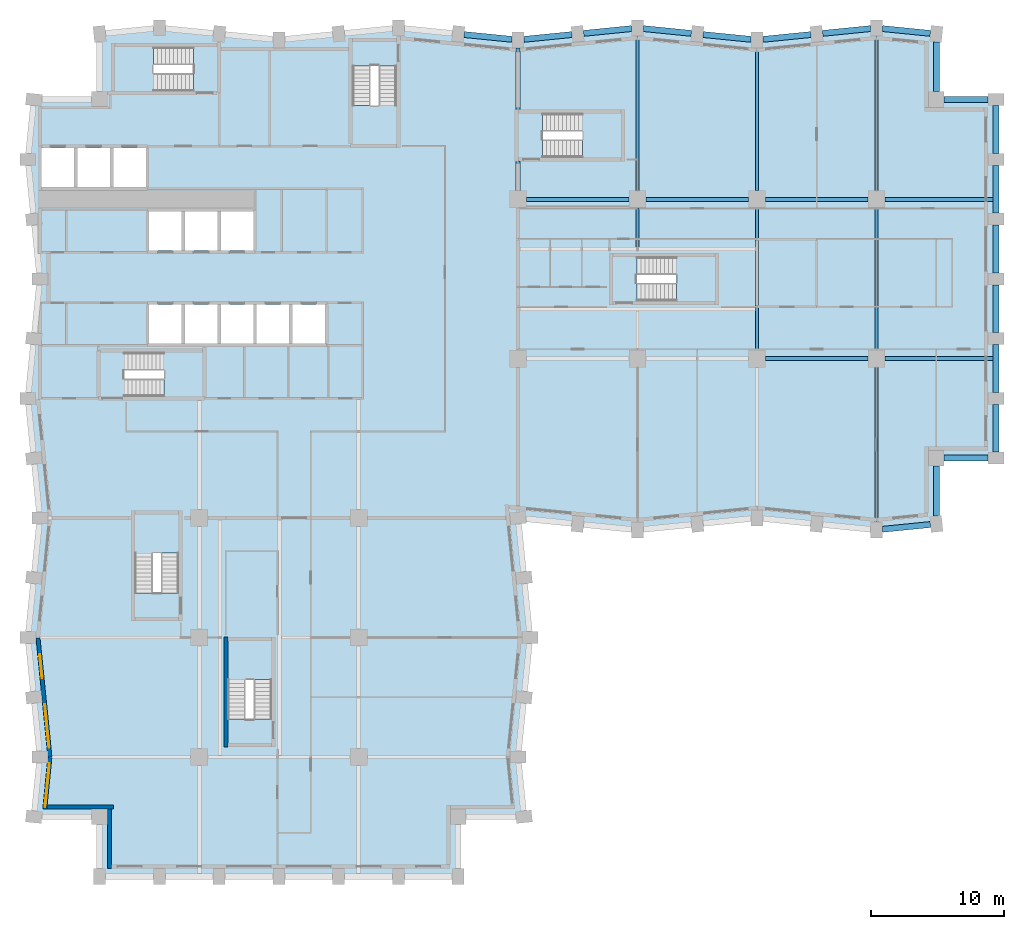
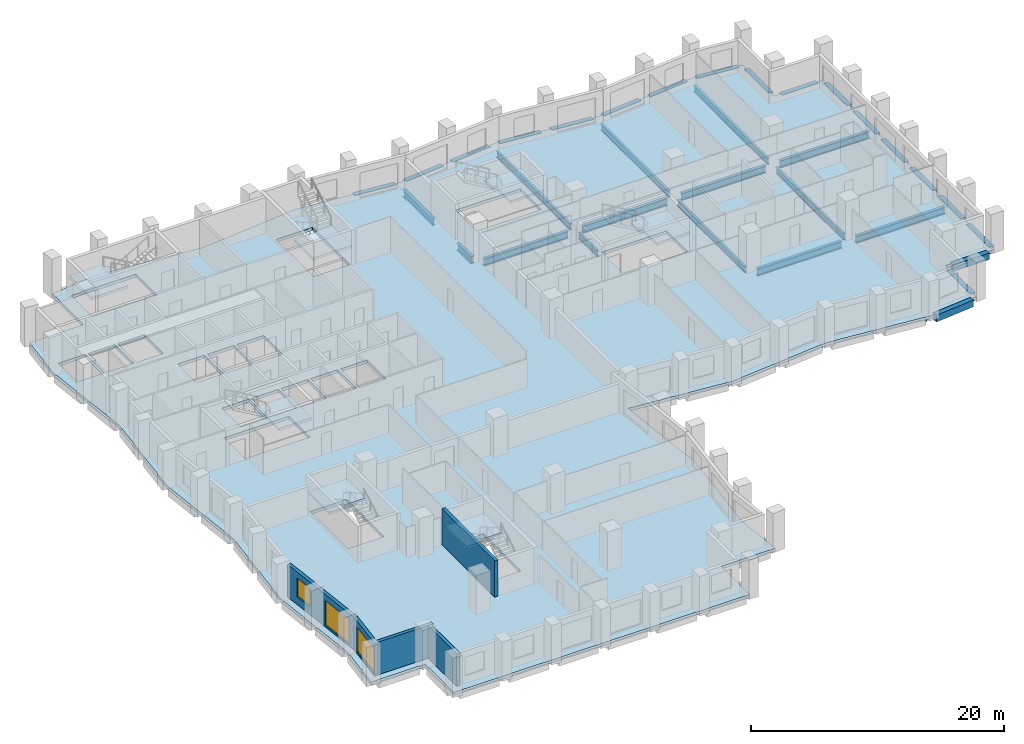
# One storey, part 2 of 11: 34 beams, 8 slabs, 5 walls, 3 windows, 3 openings, 7 elements without a shape of their own.
"""IFC4 building model written with IfcOpenShell, lengths in metres."""

from ifc_helpers import new_model, si_unit, direction, frame, frame_2d, origin, origin_2d, place, context, subcontext, project, spatial, polyline, rectangle, i_section, outline, extrude, material, layer, layer_set, material_profile, profile_set, type_object, element, fill, aggregate, save


model = new_model("IFC4")

# Units and contexts
model_context = context("Model", 3, precision=1e-05, world=origin(), true_north=direction((0.0, 1.0)))
body_context = subcontext(model_context, "Body", "Model", "MODEL_VIEW")
ifc_project = project(units=[si_unit("LENGTHUNIT", "METRE"), si_unit("AREAUNIT", "SQUARE_METRE"), si_unit("VOLUMEUNIT", "CUBIC_METRE"), si_unit("PLANEANGLEUNIT", "RADIAN"), si_unit("MASSUNIT", "GRAM", prefix="KILO")], contexts=[model_context])

# Site, building, storey
site_placement = place(None, origin())
site = spatial("IfcSite", under=ifc_project, at=site_placement, CompositionType="ELEMENT")
building_placement = place(site_placement, origin())
building = spatial("IfcBuilding", under=site, at=building_placement, Name="Brondeck Convention Tower", CompositionType="ELEMENT")
storey_placement = place(building_placement, frame((0.0, 0.0, 92.300048828125)))
storey = spatial("IfcBuildingStorey", under=building, at=storey_placement, Name="L21", CompositionType="ELEMENT", Elevation=92.300048828125)

# Beams
ifc_material_1 = material(Name="Steel S355", Category="steel")
ifc_material_profile_1 = material_profile(ifc_material_1, i_section(OverallWidth=0.219970703125, OverallDepth=0.60009765625, WebThickness=0.011962890625, FlangeThickness=0.01904296875, FilletRadius=0.02392578125, at=origin_2d()), Name="IPE 600")
ifc_profile_set_1 = profile_set([ifc_material_profile_1], Name="Steel S355")
beam_type_1 = type_object("IfcBeamType", Name="Floor beam IPE 600", PredefinedType="BEAM", material=ifc_profile_set_1)
beam_1_placement = place(storey_placement, frame((45.0, 51.64990234375, -0.60009765625), z_axis=(0.0, 1.0, 0.0), x_axis=(-1.0, 0.0, 0.0)))
element("IfcBeam", 1, at=beam_1_placement, inside=storey, type_object=beam_type_1, Name="STR-FB-L21-002", PredefinedType="BEAM", context=body_context, shape_type="SweptSolid", body=[
    extrude(i_section(OverallWidth=0.219970703125, OverallDepth=0.60009765625, WebThickness=0.011962890625, FlangeThickness=0.01904296875, FilletRadius=0.02392578125, at=origin_2d()), origin(), (0.0, 0.0, 1.0), 11.650146484375),
])
beam_2_placement = place(storey_placement, frame((54.0, 39.64990234375, -0.60009765625), z_axis=(0.0, 1.0, 0.0), x_axis=(-1.0, 0.0, 0.0)))
element("IfcBeam", 2, at=beam_2_placement, inside=storey, type_object=beam_type_1, Name="STR-FB-L21-004", PredefinedType="BEAM", context=body_context, shape_type="SweptSolid", body=[
    extrude(i_section(OverallWidth=0.219970703125, OverallDepth=0.60009765625, WebThickness=0.011962890625, FlangeThickness=0.01904296875, FilletRadius=0.02392578125, at=origin_2d()), origin(), (0.0, 0.0, 1.0), 10.7001953125),
])
beam_3_placement = place(storey_placement, frame((54.0, 51.64990234375, -0.60009765625), z_axis=(0.0, 1.0, 0.0), x_axis=(-1.0, 0.0, 0.0)))
element("IfcBeam", 3, at=beam_3_placement, inside=storey, type_object=beam_type_1, Name="STR-FB-L21-005", PredefinedType="BEAM", context=body_context, shape_type="SweptSolid", body=[
    extrude(i_section(OverallWidth=0.219970703125, OverallDepth=0.60009765625, WebThickness=0.011962890625, FlangeThickness=0.01904296875, FilletRadius=0.02392578125, at=origin_2d()), origin(), (0.0, 0.0, 1.0), 10.75),
])
beam_4_placement = place(storey_placement, frame((63.0, 26.699951171875, -0.60009765625), z_axis=(0.0, 1.0, 0.0), x_axis=(-1.0, 0.0, 0.0)))
element("IfcBeam", 4, at=beam_4_placement, inside=storey, type_object=beam_type_1, Name="STR-FB-L21-006", PredefinedType="BEAM", context=body_context, shape_type="SweptSolid", body=[
    extrude(i_section(OverallWidth=0.219970703125, OverallDepth=0.60009765625, WebThickness=0.011962890625, FlangeThickness=0.01904296875, FilletRadius=0.02392578125, at=origin_2d()), origin(), (0.0, 0.0, 1.0), 11.650146484375),
])
beam_5_placement = place(storey_placement, frame((63.0, 39.64990234375, -0.60009765625), z_axis=(0.0, 1.0, 0.0), x_axis=(-1.0, 0.0, 0.0)))
element("IfcBeam", 5, at=beam_5_placement, inside=storey, type_object=beam_type_1, Name="STR-FB-L21-007", PredefinedType="BEAM", context=body_context, shape_type="SweptSolid", body=[
    extrude(i_section(OverallWidth=0.219970703125, OverallDepth=0.60009765625, WebThickness=0.011962890625, FlangeThickness=0.01904296875, FilletRadius=0.02392578125, at=origin_2d()), origin(), (0.0, 0.0, 1.0), 10.7001953125),
])
beam_6_placement = place(storey_placement, frame((63.0, 51.64990234375, -0.60009765625), z_axis=(0.0, 1.0, 0.0), x_axis=(-1.0, 0.0, 0.0)))
element("IfcBeam", 6, at=beam_6_placement, inside=storey, type_object=beam_type_1, Name="STR-FB-L21-008", PredefinedType="BEAM", context=body_context, shape_type="SweptSolid", body=[
    extrude(i_section(OverallWidth=0.219970703125, OverallDepth=0.60009765625, WebThickness=0.011962890625, FlangeThickness=0.01904296875, FilletRadius=0.02392578125, at=origin_2d()), origin(), (0.0, 0.0, 1.0), 11.650146484375),
])
beam_7_placement = place(storey_placement, frame((45.0, 47.39990234375, -0.60009765625), z_axis=(0.0, 1.0, 0.0), x_axis=(-1.0, 0.0, 0.0)))
element("IfcBeam", 7, at=beam_7_placement, inside=storey, type_object=beam_type_1, Name="STR-FB-L21-015", PredefinedType="BEAM", context=body_context, shape_type="SweptSolid", body=[
    extrude(i_section(OverallWidth=0.219970703125, OverallDepth=0.60009765625, WebThickness=0.011962890625, FlangeThickness=0.01904296875, FilletRadius=0.02392578125, at=origin_2d()), origin(), (0.0, 0.0, 1.0), 2.9501953125),
])
ifc_material_profile_2 = material_profile(ifc_material_1, i_section(OverallWidth=0.300048828125, OverallDepth=0.699951171875, WebThickness=0.01708984375, FlangeThickness=0.031982421875, FilletRadius=0.027099609375, at=origin_2d()), Name="HEB 700")
ifc_profile_set_2 = profile_set([ifc_material_profile_2], Name="Steel S355")
beam_type_2 = type_object("IfcBeamType", Name="Girder HEB 700", PredefinedType="BEAM", material=ifc_profile_set_2)
beam_8_placement = place(storey_placement, frame((54.64990234375, 39.0, -0.650146484375), z_axis=(1.0, 0.0, 0.0), x_axis=(0.0, 1.0, 0.0)))
element("IfcBeam", 8, at=beam_8_placement, inside=storey, type_object=beam_type_2, Name="STR-GR-L21-003", PredefinedType="BEAM", context=body_context, shape_type="SweptSolid", body=[
    extrude(i_section(OverallWidth=0.300048828125, OverallDepth=0.699951171875, WebThickness=0.01708984375, FlangeThickness=0.031982421875, FilletRadius=0.027099609375, at=origin_2d()), origin(), (0.0, 0.0, 1.0), 7.7001953125),
])
beam_9_placement = place(storey_placement, frame((63.64990234375, 39.0, -0.650146484375), z_axis=(1.0, 0.0, 0.0), x_axis=(0.0, 1.0, 0.0)))
element("IfcBeam", 9, at=beam_9_placement, inside=storey, type_object=beam_type_2, Name="STR-GR-L21-004", PredefinedType="BEAM", context=body_context, shape_type="SweptSolid", body=[
    extrude(i_section(OverallWidth=0.300048828125, OverallDepth=0.699951171875, WebThickness=0.01708984375, FlangeThickness=0.031982421875, FilletRadius=0.027099609375, at=origin_2d()), origin(), (0.0, 0.0, 1.0), 8.125),
])
for number, where, z_axis, x_axis, name in (
    (10, (36.64990234375, 51.0, -0.650146484375), (1.0, 0.0, 0.0), (0.0, 1.0, 0.0), "STR-GR-L21-005"),
    (11, (45.64990234375, 51.0, -0.650146484375), (1.0, 0.0, 0.0), (0.0, 1.0, 0.0), "STR-GR-L21-006"),
    (12, (54.64990234375, 51.0, -0.650146484375), (1.0, 0.0, 0.0), (0.0, 1.0, 0.0), "STR-GR-L21-007"),
):
    element("IfcBeam", number, at=place(storey_placement, frame(where, z_axis=z_axis, x_axis=x_axis)), inside=storey, type_object=beam_type_2, Name=name, PredefinedType="BEAM", context=body_context, shape_type="SweptSolid", body=[
        extrude(i_section(OverallWidth=0.300048828125, OverallDepth=0.699951171875, WebThickness=0.01708984375, FlangeThickness=0.031982421875, FilletRadius=0.027099609375, at=origin_2d()), origin(), (0.0, 0.0, 1.0), 7.7001953125),
    ])
beam_10_placement = place(storey_placement, frame((63.64990234375, 51.0, -0.650146484375), z_axis=(1.0, 0.0, 0.0), x_axis=(0.0, 1.0, 0.0)))
element("IfcBeam", 13, at=beam_10_placement, inside=storey, type_object=beam_type_2, Name="STR-GR-L21-008", PredefinedType="BEAM", context=body_context, shape_type="SweptSolid", body=[
    extrude(i_section(OverallWidth=0.300048828125, OverallDepth=0.699951171875, WebThickness=0.01708984375, FlangeThickness=0.031982421875, FilletRadius=0.027099609375, at=origin_2d()), origin(), (0.0, 0.0, 1.0), 8.125),
])
beam_11_placement = place(storey_placement, frame((36.0, 51.64990234375, -0.650146484375), z_axis=(0.0, 1.0, 0.0), x_axis=(-1.0, 0.0, 0.0)))
element("IfcBeam", 14, at=beam_11_placement, inside=storey, type_object=beam_type_2, Name="STR-GR-L21-011", PredefinedType="BEAM", context=body_context, shape_type="SweptSolid", body=[
    extrude(i_section(OverallWidth=0.300048828125, OverallDepth=0.699951171875, WebThickness=0.01708984375, FlangeThickness=0.031982421875, FilletRadius=0.027099609375, at=origin_2d()), origin(), (0.0, 0.0, 1.0), 2.22998046875),
])
beam_12_placement = place(storey_placement, frame((36.0, 57.719970703125, -0.650146484375), z_axis=(0.0, 1.0, 0.0), x_axis=(-1.0, 0.0, 0.0)))
element("IfcBeam", 15, at=beam_12_placement, inside=storey, type_object=beam_type_2, Name="STR-GR-L21-012", PredefinedType="BEAM", context=body_context, shape_type="SweptSolid", body=[
    extrude(i_section(OverallWidth=0.300048828125, OverallDepth=0.699951171875, WebThickness=0.01708984375, FlangeThickness=0.031982421875, FilletRadius=0.027099609375, at=origin_2d()), origin(), (0.0, 0.0, 1.0), 4.679931640625),
])
ifc_material_2 = material(Name="Concrete C70/85", Category="concrete")
ifc_material_profile_3 = material_profile(ifc_material_2, rectangle(XDim=0.449951171875, YDim=0.64990234375, at=origin_2d()), Name="Precast spandrel 450x650 Concrete C70/85")
ifc_profile_set_3 = profile_set([ifc_material_profile_3], Name="Concrete C70/85")
beam_type_3 = type_object("IfcBeamType", Name="Precast spandrel 450x650 Concrete C70/85", PredefinedType="SPANDREL", material=ifc_profile_set_3)
beam_13_placement = place(storey_placement, frame((63.449951171875, 26.14501953125, -0.324951171875), z_axis=(0.995040528141, 0.099470334057, 0.0), x_axis=(-0.099470334057, 0.995040528141, 0.0)))
element("IfcBeam", 16, at=beam_13_placement, inside=storey, type_object=beam_type_3, Name="STR-SP-L21-020", PredefinedType="SPANDREL", context=body_context, shape_type="SweptSolid", body=[
    extrude(rectangle(XDim=0.449951171875, YDim=0.64990234375, at=origin_2d()), origin(), (0.0, 0.0, 1.0), 3.620361328125),
])
beam_14_placement = place(storey_placement, frame((67.5, 27.153076171875, -0.324951171875), z_axis=(0.0, 1.0, 0.0), x_axis=(-1.0, 0.0, 0.0)))
element("IfcBeam", 17, at=beam_14_placement, inside=storey, type_object=beam_type_3, Name="STR-SP-L21-021", PredefinedType="SPANDREL", context=body_context, shape_type="SweptSolid", body=[
    extrude(rectangle(XDim=0.449951171875, YDim=0.64990234375, at=origin_2d()), origin(), (0.0, 0.0, 1.0), 3.746826171875),
])
beam_15_placement = place(storey_placement, frame((68.10009765625, 31.5, -0.324951171875), z_axis=(1.0, 0.0, 0.0), x_axis=(0.0, 1.0, 0.0)))
element("IfcBeam", 18, at=beam_15_placement, inside=storey, type_object=beam_type_3, Name="STR-SP-L21-022", PredefinedType="SPANDREL", context=body_context, shape_type="SweptSolid", body=[
    extrude(rectangle(XDim=0.449951171875, YDim=0.64990234375, at=origin_2d()), origin(), (0.0, 0.0, 1.0), 3.2998046875),
])
for number, where, z_axis, x_axis, name in (
    (19, (72.0, 31.949951171875, -0.324951171875), (0.0, 1.0, 0.0), (-1.0, 0.0, 0.0), "STR-SP-L21-023"),
    (20, (72.0, 36.449951171875, -0.324951171875), (0.0, 1.0, 0.0), (-1.0, 0.0, 0.0), "STR-SP-L21-024"),
    (21, (72.0, 40.949951171875, -0.324951171875), (0.0, 1.0, 0.0), (-1.0, 0.0, 0.0), "STR-SP-L21-025"),
    (22, (72.0, 45.449951171875, -0.324951171875), (0.0, 1.0, 0.0), (-1.0, 0.0, 0.0), "STR-SP-L21-026"),
    (23, (72.0, 49.949951171875, -0.324951171875), (0.0, 1.0, 0.0), (-1.0, 0.0, 0.0), "STR-SP-L21-027"),
    (24, (72.0, 54.449951171875, -0.324951171875), (0.0, 1.0, 0.0), (-1.0, 0.0, 0.0), "STR-SP-L21-028"),
):
    element("IfcBeam", number, at=place(storey_placement, frame(where, z_axis=z_axis, x_axis=x_axis)), inside=storey, type_object=beam_type_3, Name=name, PredefinedType="SPANDREL", context=body_context, shape_type="SweptSolid", body=[
        extrude(rectangle(XDim=0.449951171875, YDim=0.64990234375, at=origin_2d()), origin(), (0.0, 0.0, 1.0), 3.60009765625),
    ])
beam_16_placement = place(storey_placement, frame((71.39990234375, 58.5, -0.324951171875), z_axis=(-1.0, 0.0, 0.0), x_axis=(0.0, -1.0, 0.0)))
element("IfcBeam", 25, at=beam_16_placement, inside=storey, type_object=beam_type_3, Name="STR-SP-L21-029", PredefinedType="SPANDREL", context=body_context, shape_type="SweptSolid", body=[
    extrude(rectangle(XDim=0.449951171875, YDim=0.64990234375, at=origin_2d()), origin(), (0.0, 0.0, 1.0), 3.2998046875),
])
beam_17_placement = place(storey_placement, frame((67.5, 59.10009765625, -0.324951171875), z_axis=(0.0, 1.0, 0.0), x_axis=(-1.0, 0.0, 0.0)))
element("IfcBeam", 26, at=beam_17_placement, inside=storey, type_object=beam_type_3, Name="STR-SP-L21-030", PredefinedType="SPANDREL", context=body_context, shape_type="SweptSolid", body=[
    extrude(rectangle(XDim=0.449951171875, YDim=0.64990234375, at=origin_2d()), origin(), (0.0, 0.0, 1.0), 3.746826171875),
])
for number, where, z_axis, x_axis, name in (
    (27, (67.05224609375, 63.494873046875, -0.324951171875), (-0.995040528141, 0.099470334057, 0.0), (-0.099470334057, -0.995040528141, 0.0), "STR-SP-L21-031"),
    (28, (62.550048828125, 63.85498046875, -0.324951171875), (-0.995040528141, -0.099470334057, 0.0), (0.099470334057, -0.995040528141, 0.0), "STR-SP-L21-032"),
    (29, (58.05224609375, 63.4052734375, -0.324951171875), (-0.995033851182, -0.099537103649, 0.0), (0.099537103649, -0.995033851182, 0.0), "STR-SP-L21-033"),
    (30, (53.550048828125, 63.044921875, -0.324951171875), (-0.995033851182, 0.099537103649, 0.0), (-0.099537103649, -0.995033851182, 0.0), "STR-SP-L21-034"),
    (31, (49.05224609375, 63.494873046875, -0.324951171875), (-0.995040528141, 0.099470334057, 0.0), (-0.099470334057, -0.995040528141, 0.0), "STR-SP-L21-035"),
    (32, (44.550048828125, 63.85498046875, -0.324951171875), (-0.995040528141, -0.099470334057, 0.0), (0.099470334057, -0.995040528141, 0.0), "STR-SP-L21-036"),
    (33, (40.05224609375, 63.4052734375, -0.324951171875), (-0.995033851182, -0.099537103649, 0.0), (0.099537103649, -0.995033851182, 0.0), "STR-SP-L21-037"),
    (34, (35.550048828125, 63.044921875, -0.324951171875), (-0.995033851182, 0.099537103649, 0.0), (-0.099537103649, -0.995033851182, 0.0), "STR-SP-L21-038"),
):
    element("IfcBeam", number, at=place(storey_placement, frame(where, z_axis=z_axis, x_axis=x_axis)), inside=storey, type_object=beam_type_3, Name=name, PredefinedType="SPANDREL", context=body_context, shape_type="SweptSolid", body=[
        extrude(rectangle(XDim=0.449951171875, YDim=0.64990234375, at=origin_2d()), origin(), (0.0, 0.0, 1.0), 3.620361328125),
    ])

# Slab
ifc_material_3 = material(Name="Concrete C35/45", Category="concrete")
ifc_layer_1 = layer(ifc_material_3, 0.300048828125)
ifc_layer_set_1 = layer_set([ifc_layer_1], Name="Composite floor slab 300")
slab_type_1 = type_object("IfcSlabType", Name="Composite floor slab 300", PredefinedType="FLOOR", material=ifc_layer_set_1)
slab_1_placement = place(storey_placement, frame((0.0, 0.0, -0.300048828125)))
element("IfcSlab", 35, at=slab_1_placement, inside=storey, type_object=slab_type_1, Name="STR-SL-L21", PredefinedType="FLOOR", context=body_context, shape_type="SweptSolid", body=[
    extrude(outline(polyline([(4.5, 4.5), (-0.449951171875, 4.5), (0.0, 9.0), (-0.89990234375, 18.0), (0.0, 27.0), (-0.89990234375, 36.0), (0.0, 45.0), (-0.89990234375, 54.0), (-0.449951171875, 58.5), (4.5, 58.5), (4.5, 63.449951171875), (9.0, 63.89990234375), (18.0, 63.0), (27.0, 63.89990234375), (36.0, 63.0), (45.0, 63.89990234375), (54.0, 63.0), (63.0, 63.89990234375), (67.5, 63.449951171875), (67.5, 58.5), (72.0, 58.5), (72.0, 31.5), (67.5, 31.5), (67.5, 26.550048828125), (63.0, 26.10009765625), (54.0, 27.0), (45.0, 26.10009765625), (36.0, 27.0), (36.89990234375, 18.0), (36.0, 9.0), (36.449951171875, 4.5), (31.5, 4.5), (31.5, 0.0), (4.5, 0.0), (4.5, 4.5)]), holes=[polyline([(10.447998046875, 27.248046875), (7.152099609375, 27.248046875), (7.152099609375, 21.35205078125), (10.447998046875, 21.35205078125), (10.447998046875, 27.248046875)]), polyline([(12.248046875, 36.152099609375), (12.248046875, 39.447998046875), (6.35205078125, 39.447998046875), (6.35205078125, 36.152099609375), (12.248046875, 36.152099609375)]), polyline([(10.675048828125, 40.125), (10.675048828125, 43.074951171875), (8.22509765625, 43.074951171875), (8.22509765625, 40.125), (10.675048828125, 40.125)]), polyline([(10.675048828125, 47.125), (10.675048828125, 50.074951171875), (8.22509765625, 50.074951171875), (8.22509765625, 47.125), (10.675048828125, 47.125)]), polyline([(13.375, 47.125), (13.375, 50.074951171875), (10.925048828125, 50.074951171875), (10.925048828125, 47.125), (13.375, 47.125)]), polyline([(2.574951171875, 51.925048828125), (2.574951171875, 54.875), (0.125, 54.875), (0.125, 51.925048828125), (2.574951171875, 51.925048828125)]), polyline([(5.27490234375, 51.925048828125), (5.27490234375, 54.875), (2.824951171875, 54.875), (2.824951171875, 51.925048828125), (5.27490234375, 51.925048828125)]), polyline([(5.52490234375, 51.925048828125), (7.97509765625, 51.925048828125), (7.97509765625, 54.875), (5.52490234375, 54.875), (5.52490234375, 51.925048828125)]), polyline([(11.548095703125, 62.447998046875), (5.652099609375, 62.447998046875), (5.652099609375, 59.152099609375), (11.548095703125, 59.152099609375), (11.548095703125, 62.447998046875)]), polyline([(17.447998046875, 17.748046875), (14.152099609375, 17.748046875), (14.152099609375, 11.85205078125), (17.447998046875, 11.85205078125), (17.447998046875, 17.748046875)]), polyline([(13.375, 40.125), (13.375, 43.074951171875), (10.925048828125, 43.074951171875), (10.925048828125, 40.125), (13.375, 40.125)]), polyline([(16.074951171875, 40.125), (16.074951171875, 43.074951171875), (13.625, 43.074951171875), (13.625, 40.125), (16.074951171875, 40.125)]), polyline([(18.77490234375, 40.125), (18.77490234375, 43.074951171875), (16.324951171875, 43.074951171875), (16.324951171875, 40.125), (18.77490234375, 40.125)]), polyline([(21.47509765625, 40.125), (21.47509765625, 43.074951171875), (19.02490234375, 43.074951171875), (19.02490234375, 40.125), (21.47509765625, 40.125)]), polyline([(50.847900390625, 43.35205078125), (50.847900390625, 46.64794921875), (44.951904296875, 46.64794921875), (44.951904296875, 43.35205078125), (50.847900390625, 43.35205078125)]), polyline([(16.074951171875, 47.125), (16.074951171875, 50.074951171875), (13.625, 50.074951171875), (13.625, 47.125), (16.074951171875, 47.125)]), polyline([(37.85205078125, 54.152099609375), (43.748046875, 54.152099609375), (43.748046875, 57.447998046875), (37.85205078125, 57.447998046875), (37.85205078125, 54.152099609375)]), polyline([(23.552001953125, 61.048095703125), (23.552001953125, 55.152099609375), (26.847900390625, 55.152099609375), (26.847900390625, 61.048095703125), (23.552001953125, 61.048095703125)])]), origin(), (0.0, 0.0, 1.0), 0.300048828125),
])

# Stair, slab
ifc_material_4 = material(Name="Precast concrete C50/60", Category="concrete")
stair_type = type_object("IfcStairType", Name="Core stair 22 risers 172.73 mm riser 300 mm going 1350 wide", PredefinedType="HALF_TURN_STAIR", material=ifc_material_4)
stair_1_placement = place(storey_placement, origin())
stair_1 = element("IfcStair", 36, at=stair_1_placement, inside=storey, type_object=stair_type, Name="ST-1 L21 stair", PredefinedType="HALF_TURN_STAIR")
ifc_layer_2 = layer(ifc_material_4, 0.25)
ifc_layer_set_2 = layer_set([ifc_layer_2], Name="Core stair landing 250 Precast concrete C50/60")
slab_type_2 = type_object("IfcSlabType", Name="Core stair landing 250 Precast concrete C50/60", PredefinedType="LANDING", material=ifc_layer_set_2)
slab_2_placement = place(storey_placement, frame((0.0, 0.0, 1.64990234375)))
slab_2 = element("IfcSlab", 37, at=slab_2_placement, type_object=slab_type_2, Name="ST-1 landing 1", PredefinedType="LANDING", context=body_context, shape_type="SweptSolid", body=[
    extrude(outline(polyline([(9.347900390625, 37.5), (9.35009765625, 37.5), (9.35009765625, 38.10009765625), (9.050048828125, 38.10009765625), (9.050048828125, 39.570068359375), (12.3701171875, 39.570068359375), (12.3701171875, 36.030029296875), (9.347900390625, 36.030029296875), (9.347900390625, 37.5)])), origin(), (0.0, 0.0, 1.0), 0.25),
])
aggregate(stair_1, [slab_2])

stair_2_placement = place(storey_placement, origin())
stair_2 = element("IfcStair", 38, at=stair_2_placement, inside=storey, type_object=stair_type, Name="ST-2 L21 stair", PredefinedType="HALF_TURN_STAIR")
slab_3_placement = place(storey_placement, frame((0.0, 0.0, 1.64990234375)))
slab_3 = element("IfcSlab", 39, at=slab_3_placement, type_object=slab_type_2, Name="ST-2 landing 1", PredefinedType="LANDING", context=body_context, shape_type="SweptSolid", body=[
    extrude(outline(polyline([(23.429931640625, 58.052001953125), (24.89990234375, 58.052001953125), (24.89990234375, 58.050048828125), (25.5, 58.050048828125), (25.5, 58.35009765625), (26.969970703125, 58.35009765625), (26.969970703125, 55.030029296875), (23.429931640625, 55.030029296875), (23.429931640625, 58.052001953125)])), origin(), (0.0, 0.0, 1.0), 0.25),
])
aggregate(stair_2, [slab_3])

stair_3_placement = place(storey_placement, origin())
stair_3 = element("IfcStair", 40, at=stair_3_placement, inside=storey, type_object=stair_type, Name="ST-3 L21 stair", PredefinedType="HALF_TURN_STAIR")
slab_4_placement = place(storey_placement, frame((0.0, 0.0, 1.64990234375)))
slab_4 = element("IfcSlab", 41, at=slab_4_placement, type_object=slab_type_2, Name="ST-3 landing 1", PredefinedType="LANDING", context=body_context, shape_type="SweptSolid", body=[
    extrude(outline(polyline([(8.85009765625, 60.5), (8.85009765625, 59.030029296875), (5.530029296875, 59.030029296875), (5.530029296875, 62.570068359375), (8.552001953125, 62.570068359375), (8.552001953125, 61.10009765625), (8.550048828125, 61.10009765625), (8.550048828125, 60.5), (8.85009765625, 60.5)])), origin(), (0.0, 0.0, 1.0), 0.25),
])
aggregate(stair_3, [slab_4])

stair_4_placement = place(storey_placement, origin())
stair_4 = element("IfcStair", 42, at=stair_4_placement, inside=storey, type_object=stair_type, Name="ST-AE L21 stair", PredefinedType="HALF_TURN_STAIR")
slab_5_placement = place(storey_placement, frame((0.0, 0.0, 1.64990234375)))
slab_5 = element("IfcSlab", 43, at=slab_5_placement, type_object=slab_type_2, Name="ST-AE landing 1", PredefinedType="LANDING", context=body_context, shape_type="SweptSolid", body=[
    extrude(outline(polyline([(40.847900390625, 55.5), (40.85009765625, 55.5), (40.85009765625, 56.10009765625), (40.550048828125, 56.10009765625), (40.550048828125, 57.570068359375), (43.8701171875, 57.570068359375), (43.8701171875, 54.030029296875), (40.847900390625, 54.030029296875), (40.847900390625, 55.5)])), origin(), (0.0, 0.0, 1.0), 0.25),
])
aggregate(stair_4, [slab_5])

stair_5_placement = place(storey_placement, origin())
stair_5 = element("IfcStair", 44, at=stair_5_placement, inside=storey, type_object=stair_type, Name="ST-BE L21 stair", PredefinedType="HALF_TURN_STAIR")
slab_6_placement = place(storey_placement, frame((0.0, 0.0, 1.64990234375)))
slab_6 = element("IfcSlab", 45, at=slab_6_placement, type_object=slab_type_2, Name="ST-BE landing 1", PredefinedType="LANDING", context=body_context, shape_type="SweptSolid", body=[
    extrude(outline(polyline([(7.030029296875, 24.050048828125), (7.030029296875, 27.3701171875), (10.570068359375, 27.3701171875), (10.570068359375, 24.347900390625), (9.10009765625, 24.347900390625), (9.10009765625, 24.35009765625), (8.5, 24.35009765625), (8.5, 24.050048828125), (7.030029296875, 24.050048828125)])), origin(), (0.0, 0.0, 1.0), 0.25),
])
aggregate(stair_5, [slab_6])

stair_6_placement = place(storey_placement, origin())
stair_6 = element("IfcStair", 46, at=stair_6_placement, inside=storey, type_object=stair_type, Name="ST-AF L21 stair", PredefinedType="HALF_TURN_STAIR")
slab_7_placement = place(storey_placement, frame((0.0, 0.0, 1.64990234375)))
slab_7 = element("IfcSlab", 47, at=slab_7_placement, type_object=slab_type_2, Name="ST-AF landing 1", PredefinedType="LANDING", context=body_context, shape_type="SweptSolid", body=[
    extrude(outline(polyline([(47.947998046875, 44.699951171875), (47.949951171875, 44.699951171875), (47.949951171875, 45.300048828125), (47.64990234375, 45.300048828125), (47.64990234375, 46.77001953125), (50.969970703125, 46.77001953125), (50.969970703125, 43.22998046875), (47.947998046875, 43.22998046875), (47.947998046875, 44.699951171875)])), origin(), (0.0, 0.0, 1.0), 0.25),
])
aggregate(stair_6, [slab_7])

stair_7_placement = place(storey_placement, origin())
stair_7 = element("IfcStair", 48, at=stair_7_placement, inside=storey, type_object=stair_type, Name="ST-BF L21 stair", PredefinedType="HALF_TURN_STAIR")
slab_8_placement = place(storey_placement, frame((0.0, 0.0, 1.64990234375)))
slab_8 = element("IfcSlab", 49, at=slab_8_placement, type_object=slab_type_2, Name="ST-BF landing 1", PredefinedType="LANDING", context=body_context, shape_type="SweptSolid", body=[
    extrude(outline(polyline([(14.030029296875, 14.550048828125), (14.030029296875, 17.8701171875), (17.570068359375, 17.8701171875), (17.570068359375, 14.847900390625), (16.10009765625, 14.847900390625), (16.10009765625, 14.85009765625), (15.5, 14.85009765625), (15.5, 14.550048828125), (14.030029296875, 14.550048828125)])), origin(), (0.0, 0.0, 1.0), 0.25),
])
aggregate(stair_7, [slab_8])

# Wall, openings, windows
ifc_material_5 = material(Name="Precast concrete C50/60 bronze finish", Category="concrete")
ifc_layer_3 = layer(ifc_material_5, 0.070068359375, Name="Bronze precast facing")
ifc_material_6 = material(Name="Mineral wool")
ifc_layer_4 = layer(ifc_material_6, 0.159912109375, Name="Insulation")
ifc_layer_5 = layer(ifc_material_3, 0.070068359375, Name="Backing")
ifc_layer_set_3 = layer_set([ifc_layer_3, ifc_layer_4, ifc_layer_5], Name="External infill wall, precast concrete C50/60 bronze facing")
wall_type_1 = type_object("IfcWallType", Name="External infill wall, precast concrete C50/60 bronze facing", PredefinedType="SOLIDWALL", material=ifc_layer_set_3)
wall_1_placement = place(storey_placement, frame((0.755126953125, 8.985107421875, 0.0), z_axis=(0.0, 0.0, 1.0), x_axis=(-0.099495688264, 0.995037993253, 0.0)))
wall_1 = element("IfcWall", 50, at=wall_1_placement, inside=storey, type_object=wall_type_1, Name="ENV-EW-L21-P0-B-W-10", PredefinedType="SOLIDWALL", context=body_context, shape_type="SweptSolid", body=[
    extrude(rectangle(XDim=9.030029296875, YDim=0.300048828125, at=frame_2d((4.51513671875, 0.0))), origin(), (0.0, 0.0, 1.0), 3.14990234375),
])
opening_1_placement = place(wall_1_placement, frame((0.701171875, 0.0, 0.14990234375)))
opening_1 = element("IfcOpeningElement", 51, at=opening_1_placement, cuts=wall_1, Name="Opening W9", PredefinedType="OPENING", context=body_context, shape_type="SweptSolid", body=[
    extrude(rectangle(XDim=3.300048828125, YDim=2.39990234375, at=frame_2d((1.64990234375, 1.199951171875))), frame((0.0, 0.159912109375, 0.0), z_axis=(0.0, -1.0, 0.0), x_axis=(1.0, 0.0, 0.0)), (0.0, 0.0, 1.0), 0.320068359375),
])
opening_2_placement = place(wall_1_placement, frame((5.9736328125, 0.0, 0.75)))
opening_2 = element("IfcOpeningElement", 52, at=opening_2_placement, cuts=wall_1, Name="Opening W10", PredefinedType="OPENING", context=body_context, shape_type="SweptSolid", body=[
    extrude(rectangle(XDim=1.800048828125, YDim=1.800048828125, at=frame_2d((0.89990234375, 0.89990234375))), frame((0.0, 0.159912109375, 0.0), z_axis=(0.0, -1.0, 0.0), x_axis=(1.0, 0.0, 0.0)), (0.0, 0.0, 1.0), 0.320068359375),
])
ifc_material_7 = material(Name="Bronze tinted double glazing", Category="glass")
window_type_1 = type_object("IfcWindowType", Name="Glazed flute window, bronze tinted", PartitioningType="SINGLE_PANEL", PredefinedType="WINDOW", material=ifc_material_7)
window_1_placement = place(opening_1_placement, origin())
window_1 = element("IfcWindow", 53, at=window_1_placement, inside=storey, type_object=window_type_1, Name="ENV-WN-L21-P0-B-W-11", OverallHeight=2.39990234375, OverallWidth=3.300048828125, PartitioningType="SINGLE_PANEL", PredefinedType="WINDOW", context=body_context, shape_type="SweptSolid", body=[
    extrude(rectangle(XDim=3.300048828125, YDim=2.39990234375, at=frame_2d((1.64990234375, 1.199951171875))), frame((0.0, 0.030029296875, 0.0), z_axis=(0.0, -1.0, 0.0), x_axis=(1.0, 0.0, 0.0)), (0.0, 0.0, 1.0), 0.06005859375),
])
fill(opening_1, window_1)
window_type_2 = type_object("IfcWindowType", Name="Punched window, bronze tinted", PartitioningType="SINGLE_PANEL", PredefinedType="WINDOW", material=ifc_material_7)
window_2_placement = place(opening_2_placement, origin())
window_2 = element("IfcWindow", 54, at=window_2_placement, inside=storey, type_object=window_type_2, Name="ENV-WN-L21-P0-B-W-10", OverallHeight=1.800048828125, OverallWidth=1.800048828125, PartitioningType="SINGLE_PANEL", PredefinedType="WINDOW", context=body_context, shape_type="SweptSolid", body=[
    extrude(rectangle(XDim=1.800048828125, YDim=1.800048828125, at=frame_2d((0.89990234375, 0.89990234375))), frame((0.0, 0.030029296875, 0.0), z_axis=(0.0, -1.0, 0.0), x_axis=(1.0, 0.0, 0.0)), (0.0, 0.0, 1.0), 0.06005859375),
])
fill(opening_2, window_2)

# Wall, opening, window
wall_2_placement = place(storey_placement, frame((0.3623046875, 5.085205078125, 0.0), z_axis=(0.0, 0.0, 1.0), x_axis=(0.099485145752, 0.995039047362, 0.0)))
wall_2 = element("IfcWall", 55, at=wall_2_placement, inside=storey, type_object=wall_type_1, Name="ENV-EW-L21-P0-B-W-12", PredefinedType="SOLIDWALL", context=body_context, shape_type="SweptSolid", body=[
    extrude(rectangle(XDim=3.904296875, YDim=0.300048828125, at=frame_2d((1.9521484375, 0.0))), origin(), (0.0, 0.0, 1.0), 3.14990234375),
])
opening_3_placement = place(wall_2_placement, frame((0.14990234375, 0.0, 0.14990234375)))
opening_3 = element("IfcOpeningElement", 56, at=opening_3_placement, cuts=wall_2, Name="Opening W9", PredefinedType="OPENING", context=body_context, shape_type="SweptSolid", body=[
    extrude(rectangle(XDim=3.300048828125, YDim=2.39990234375, at=frame_2d((1.64990234375, 1.199951171875))), frame((0.0, 0.159912109375, 0.0), z_axis=(0.0, -1.0, 0.0), x_axis=(1.0, 0.0, 0.0)), (0.0, 0.0, 1.0), 0.320068359375),
])
window_3_placement = place(opening_3_placement, origin())
window_3 = element("IfcWindow", 57, at=window_3_placement, inside=storey, type_object=window_type_1, Name="ENV-WN-L21-P0-B-W-12", OverallHeight=2.39990234375, OverallWidth=3.300048828125, PartitioningType="SINGLE_PANEL", PredefinedType="WINDOW", context=body_context, shape_type="SweptSolid", body=[
    extrude(rectangle(XDim=3.300048828125, YDim=2.39990234375, at=frame_2d((1.64990234375, 1.199951171875))), frame((0.0, 0.030029296875, 0.0), z_axis=(0.0, -1.0, 0.0), x_axis=(1.0, 0.0, 0.0)), (0.0, 0.0, 1.0), 0.06005859375),
])
fill(opening_3, window_3)

# Walls
wall_3_placement = place(storey_placement, frame((5.550048828125, 5.25, 0.0), z_axis=(0.0, 0.0, 1.0), x_axis=(-1.0, 0.0, 0.0)))
element("IfcWall", 58, at=wall_3_placement, inside=storey, type_object=wall_type_1, Name="ENV-EW-L21-P0-NC-SWB0-01", PredefinedType="SOLIDWALL", context=body_context, shape_type="SweptSolid", body=[
    extrude(rectangle(XDim=5.015380859375, YDim=0.300048828125, at=frame_2d((2.5078125, 0.0))), origin(), (0.0, 0.0, 1.0), 3.14990234375),
])
wall_4_placement = place(storey_placement, frame((5.25, 0.60009765625, 0.0), z_axis=(0.0, 0.0, 1.0), x_axis=(0.0, 1.0, 0.0)))
element("IfcWall", 59, at=wall_4_placement, inside=storey, type_object=wall_type_1, Name="ENV-EW-L21-P0-NC-SWB0-02", PredefinedType="SOLIDWALL", context=body_context, shape_type="SweptSolid", body=[
    extrude(rectangle(XDim=4.5, YDim=0.300048828125, at=frame_2d((2.25, 0.0))), origin(), (0.0, 0.0, 1.0), 3.14990234375),
])
ifc_layer_6 = layer(ifc_material_2, 0.300048828125)
ifc_layer_set_4 = layer_set([ifc_layer_6], Name="Stair enclosure wall 300 Concrete C70/85")
wall_type_2 = type_object("IfcWallType", Name="Stair enclosure wall 300 Concrete C70/85", PredefinedType="SHEAR", material=ifc_layer_set_4)
wall_5_placement = place(storey_placement, frame((14.0, 9.75, 0.0), z_axis=(0.0, 0.0, 1.0), x_axis=(0.0, 1.0, 0.0)))
element("IfcWall", 60, at=wall_5_placement, inside=storey, type_object=wall_type_2, Name="L21 core wall", PredefinedType="SHEAR", context=body_context, shape_type="SweptSolid", body=[
    extrude(rectangle(XDim=8.300048828125, YDim=0.300048828125, at=frame_2d((4.14990234375, 0.0))), origin(), (0.0, 0.0, 1.0), 3.5),
])

save(model, "model.ifc")
